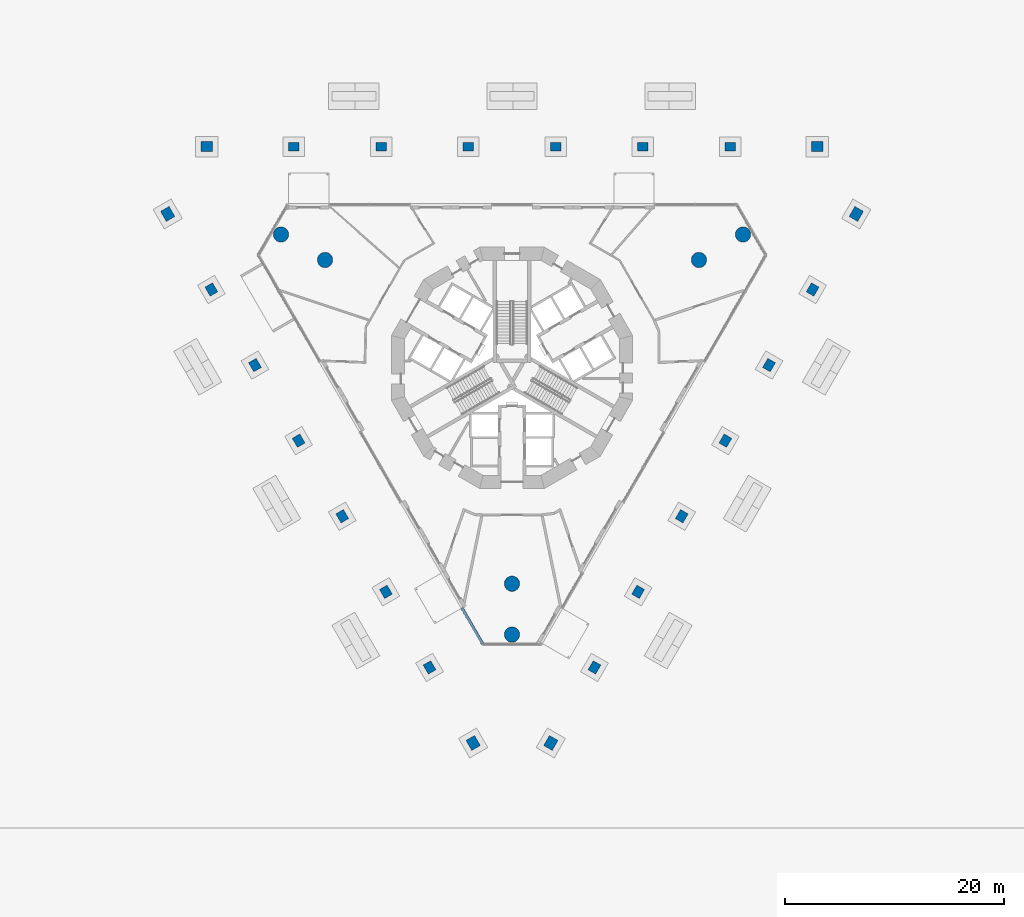
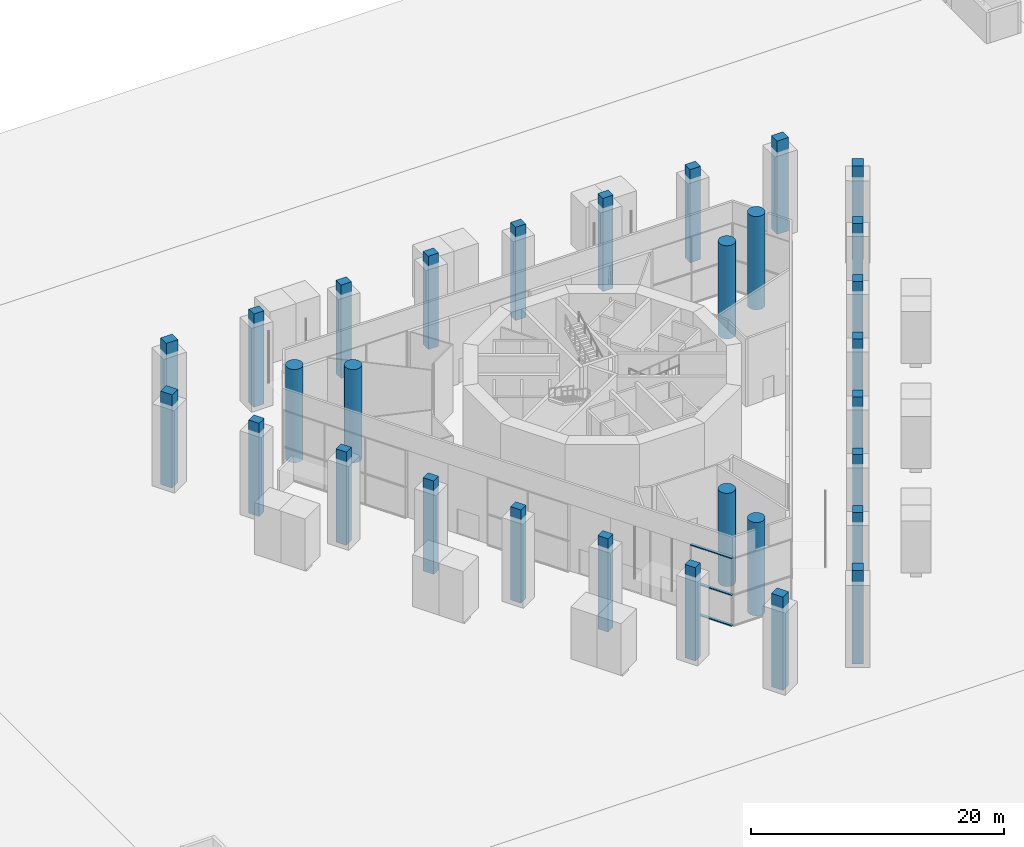
# One storey, part 1 of 26: 30 columns, 3 members, 1 element without a shape of its own.
"""IFC4 building model written with IfcOpenShell, lengths in metres."""

import ifcopenshell
import ifcopenshell.guid

model = None  # the IFC model being written
_history = None  # IfcOwnerHistory: only IFC2X3 demands one
_inside = {}  # id of a spatial element -> (the spatial element, [elements in it])
_under = {}  # id of a project, library or spatial element -> (it, [spatial elements below it])
_declared = {}  # id of a project -> (the project, [libraries it declares])
_typed = {}  # id of a type object -> (the type object, [elements of that type])
_made_of = {}  # id of a material, layer set ... -> (it, [elements and type objects made of it])


def new_model(schema):
    """Start an empty IFC model of exactly this schema.

    Asked for "IFC4X3", IfcOpenShell would pick the latest addendum, in which some entities
    have other attributes; the version numbers below select the first issue.
    IFC2X3 requires an IfcOwnerHistory on every rooted entity: one is made here for all.
    """
    global model, _history
    if schema == "IFC4X3":
        model = ifcopenshell.file(schema_version=(4, 3, 0, 0))
    else:
        model = ifcopenshell.file(schema=schema)
    _inside.clear()
    _under.clear()
    _declared.clear()
    _typed.clear()
    _made_of.clear()
    _history = None
    if model.schema == "IFC2X3":
        org = make("IfcOrganization", Name="unknown")
        user = make(
            "IfcPersonAndOrganization",
            ThePerson=make("IfcPerson", FamilyName="unknown"),
            TheOrganization=org,
        )
        app = make(
            "IfcApplication",
            ApplicationDeveloper=org,
            Version="unknown",
            ApplicationFullName="unknown",
            ApplicationIdentifier="unknown",
        )
        _history = make(
            "IfcOwnerHistory",
            OwningUser=user,
            OwningApplication=app,
            ChangeAction="ADDED",
            CreationDate=0,
        )
    return model


def make(cls, **values):
    """One entity of the class cls with the attributes given. An attribute that is None is left unset."""
    return model.create_entity(
        cls, **{name: value for name, value in values.items() if value is not None}
    )


def rooted(cls, **values):
    """An entity with a GlobalId (a new one), such as an element, a storey or a relation."""
    return make(cls, GlobalId=ifcopenshell.guid.new(), OwnerHistory=_history, **values)


def si_unit(unit_type, name, prefix=None):
    """IfcSIUnit, for example si_unit("LENGTHUNIT", "METRE", prefix="MILLI")."""
    return make("IfcSIUnit", UnitType=unit_type, Prefix=prefix, Name=name)


def assignment(units):
    """IfcUnitAssignment: the units of a project."""
    return None if units is None else make("IfcUnitAssignment", Units=units)


def point(xyz):
    """IfcCartesianPoint."""
    return None if xyz is None else make("IfcCartesianPoint", Coordinates=xyz)


def direction(xyz):
    """IfcDirection."""
    return None if xyz is None else make("IfcDirection", DirectionRatios=xyz)


def frame(location, z_axis=None, x_axis=None):
    """IfcAxis2Placement3D, a coordinate frame: its origin and axes. An axis left out is left unset."""
    return make(
        "IfcAxis2Placement3D",
        Location=point(location),
        Axis=direction(z_axis),
        RefDirection=direction(x_axis),
    )


def frame_2d(location, x_axis=None):
    """IfcAxis2Placement2D, a coordinate frame in the plane: its origin and x axis."""
    return make(
        "IfcAxis2Placement2D", Location=point(location), RefDirection=direction(x_axis)
    )


def origin():
    """The frame at (0, 0, 0) with its axes left unset."""
    return frame((0.0, 0.0, 0.0))


def origin_2d():
    """The frame at (0, 0) in the plane with its x axis left unset."""
    return frame_2d((0.0, 0.0))


def place(relative_to, where):
    """IfcLocalPlacement: puts the frame where relative to a parent placement (None: the world)."""
    return make(
        "IfcLocalPlacement", PlacementRelTo=relative_to, RelativePlacement=where
    )


def context(
    kind, dimensions, precision=None, world=None, true_north=None, identifier=None
):
    """IfcGeometricRepresentationContext, for example the 3D "Model" context."""
    return make(
        "IfcGeometricRepresentationContext",
        ContextIdentifier=identifier,
        ContextType=kind,
        CoordinateSpaceDimension=dimensions,
        Precision=precision,
        WorldCoordinateSystem=world,
        TrueNorth=true_north,
    )


def subcontext(parent, identifier, kind, view, scale=None):
    """IfcGeometricRepresentationSubContext, for example "Body" below "Model"."""
    return make(
        "IfcGeometricRepresentationSubContext",
        ContextIdentifier=identifier,
        ContextType=kind,
        ParentContext=parent,
        TargetScale=scale,
        TargetView=view,
    )


def project(units=None, contexts=None):
    """IfcProject with its units and contexts."""
    return rooted(
        "IfcProject",
        Name="project",
        RepresentationContexts=contexts,
        UnitsInContext=assignment(units),
    )


def spatial(cls, under=None, at=None, **own):
    """A site, building, storey or space (cls), placed at a placement, below another one or the project."""
    s = rooted(cls, ObjectPlacement=at, **own)
    if under is not None:
        _under.setdefault(under.id(), (under, []))[1].append(s)
    return s


def profile(cls, at=None, kind="AREA", **sizes):
    """A parametric profile (cls). Its sizes go by their IFC names, for example OverallWidth=200.0."""
    return make(cls, ProfileType=kind, Position=at, **sizes)


def rectangle(**sizes):
    """IfcRectangleProfileDef."""
    return profile("IfcRectangleProfileDef", **sizes)


def circle(**sizes):
    """IfcCircleProfileDef."""
    return profile("IfcCircleProfileDef", **sizes)


def extrude(swept, where, along, depth):
    """IfcExtrudedAreaSolid: the profile swept, set in the frame where, extruded along a direction by depth."""
    return make(
        "IfcExtrudedAreaSolid",
        SweptArea=swept,
        Position=where,
        ExtrudedDirection=direction(along),
        Depth=depth,
    )


def shape(context_of_items, identifier, shape_type, items):
    """IfcShapeRepresentation: the items that make up one representation, for example the "Body"."""
    return make(
        "IfcShapeRepresentation",
        ContextOfItems=context_of_items,
        RepresentationIdentifier=identifier,
        RepresentationType=shape_type,
        Items=items,
    )


def material(Name=None, Category=None):
    """IfcMaterial."""
    return make("IfcMaterial", Name=Name, Category=Category)


def layer(
    of_material, thickness, ventilated=None, Name=None, Category=None, Priority=None
):
    """IfcMaterialLayer: one layer of a wall or slab, of a material (None: an air gap)."""
    return make(
        "IfcMaterialLayer",
        Material=of_material,
        LayerThickness=thickness,
        IsVentilated=ventilated,
        Name=Name,
        Category=Category,
        Priority=Priority,
    )


def layer_set(layers, Name=None):
    """IfcMaterialLayerSet."""
    return make("IfcMaterialLayerSet", MaterialLayers=layers, LayerSetName=Name)


def material_profile(
    of_material, cross_section, Name=None, Category=None, Priority=None
):
    """IfcMaterialProfile: a cross section and its material."""
    return make(
        "IfcMaterialProfile",
        Name=Name,
        Material=of_material,
        Profile=cross_section,
        Priority=Priority,
        Category=Category,
    )


def profile_set(profiles, Name=None, composite=None):
    """IfcMaterialProfileSet."""
    return make(
        "IfcMaterialProfileSet",
        Name=Name,
        MaterialProfiles=profiles,
        CompositeProfile=composite,
    )


def made_of(thing, what):
    """Note that an element or type object is made of a material, layer set ...; save() writes the relation."""
    if what is not None:
        _made_of.setdefault(what.id(), (what, []))[1].append(thing)
    return thing


def type_object(cls, material=None, **own):
    """A type object (cls), such as IfcWallType, which elements share."""
    return made_of(rooted(cls, **own), material)


def element(
    cls,
    number,
    at=None,
    inside=None,
    cuts=None,
    type_object=None,
    material=None,
    context=None,
    identifier="Body",
    shape_type=None,
    held_by="IfcProductDefinitionShape",
    body=None,
    shapes=None,
    **own,
):
    """One element of the class cls, such as IfcWall. Its Tag is "e" and its number.

    at: its placement. inside: the storey or other place that contains it. cuts: it is an
    opening in that element (IfcRelVoidsElement). A single representation is given by context,
    identifier, shape_type and body (its items); several are given by shapes. held_by: the class
    of the entity that holds the representations. save() writes the other relations.
    """
    e = rooted(cls, Tag="e%d" % number, ObjectPlacement=at, **own)
    if body is not None:
        shapes = [shape(context, identifier, shape_type, body)]
    if shapes is not None:
        e.Representation = make(held_by, Representations=shapes)
    if inside is not None:
        _inside.setdefault(inside.id(), (inside, []))[1].append(e)
    if cuts is not None:
        rooted(
            "IfcRelVoidsElement", RelatingBuildingElement=cuts, RelatedOpeningElement=e
        )
    if type_object is not None:
        _typed.setdefault(type_object.id(), (type_object, []))[1].append(e)
    return made_of(e, material)


def aggregate(whole, parts):
    """IfcRelAggregates: a whole, such as a stair, and the parts it consists of."""
    return rooted("IfcRelAggregates", RelatingObject=whole, RelatedObjects=parts)


def save(model, path):
    """Write the relations noted so far, then the file.

    IfcRelAggregates (storeys below a building ...), IfcRelContainedInSpatialStructure (elements
    in a storey), IfcRelDefinesByType, IfcRelAssociatesMaterial and IfcRelDeclares: one each for
    every whole, place, type object, material and project.
    """
    for whole, parts in _under.values():
        aggregate(whole, parts)
    for where, things in _inside.values():
        rooted(
            "IfcRelContainedInSpatialStructure",
            RelatedElements=things,
            RelatingStructure=where,
        )
    for kind, things in _typed.values():
        rooted("IfcRelDefinesByType", RelatedObjects=things, RelatingType=kind)
    for what, things in _made_of.values():
        rooted("IfcRelAssociatesMaterial", RelatedObjects=things, RelatingMaterial=what)
    for by, libraries in _declared.values():
        rooted("IfcRelDeclares", RelatingContext=by, RelatedDefinitions=libraries)
    model.write(path)


model = new_model("IFC4")

# Units and contexts
model_context = context("Model", 3, precision=1e-05, world=origin(), true_north=direction((0.0, 1.0)))
body_context = subcontext(model_context, "Body", "Model", "MODEL_VIEW")
ifc_project = project(units=[si_unit("LENGTHUNIT", "METRE"), si_unit("AREAUNIT", "SQUARE_METRE"), si_unit("VOLUMEUNIT", "CUBIC_METRE"), si_unit("PLANEANGLEUNIT", "RADIAN"), si_unit("MASSUNIT", "GRAM", prefix="KILO")], contexts=[model_context])

# Site, building, storey
site_placement = place(None, origin())
site = spatial("IfcSite", under=ifc_project, at=site_placement, CompositionType="ELEMENT")
building_placement = place(site_placement, origin())
building = spatial("IfcBuilding", under=site, at=building_placement, Name="Trine Commons Tower", CompositionType="ELEMENT")
storey_placement = place(building_placement, origin())
storey = spatial("IfcBuildingStorey", under=building, at=storey_placement, Name="L00", CompositionType="ELEMENT", Elevation=0.0)

# Columns
ifc_material_1 = material(Name="Concrete C80/95", Category="concrete")
ifc_material_profile_1 = material_profile(ifc_material_1, rectangle(XDim=1.050048828125, YDim=0.89990234375, at=origin_2d()), Name="RC 1050x900")
ifc_profile_set_1 = profile_set([ifc_material_profile_1], Name="Concrete C80/95")
column_type_1 = type_object("IfcColumnType", Name="RC column 1050x900, C80/95", PredefinedType="COLUMN", material=ifc_profile_set_1)
for number, where, z_axis, x_axis, name in (
    (1, (76.45556640625, 28.27001953125, 0.0), (0.0, 0.0, 1.0), (-0.5, 0.866025403784, 0.0), "Column PC1-01 L00"),
    (2, (48.583740234375, 76.54541015625, 0.0), (0.0, 0.0, 1.0), (-0.5, 0.866025403784, 0.0), "Column PC1-08 L00"),
    (3, (52.128173828125, 82.6845703125, 0.0), (0.0, 0.0, 1.0), (1.0, 0.0, 0.0), "Column PC1-09 L00"),
    (4, (107.871826171875, 82.6845703125, 0.0), (0.0, 0.0, 1.0), (1.0, 0.0, 0.0), "Column PC1-16 L00"),
    (5, (111.416259765625, 76.54541015625, 0.0), (0.0, 0.0, 1.0), (0.5, 0.866025403784, 0.0), "Column PC1-17 L00"),
    (6, (83.54443359375, 28.27001953125, 0.0), (0.0, 0.0, 1.0), (0.5, 0.866025403784, 0.0), "Column PC1-24 L00"),
):
    element("IfcColumn", number, at=place(storey_placement, frame(where, z_axis=z_axis, x_axis=x_axis)), inside=storey, type_object=column_type_1, Name=name, PredefinedType="COLUMN", context=body_context, shape_type="SweptSolid", body=[
        extrude(rectangle(XDim=1.050048828125, YDim=0.89990234375, at=origin_2d()), origin(), (0.0, 0.0, 1.0), 9.0),
    ])
ifc_material_profile_2 = material_profile(ifc_material_1, rectangle(XDim=0.949951171875, YDim=0.800048828125, at=origin_2d()), Name="RC 950x800")
ifc_profile_set_2 = profile_set([ifc_material_profile_2], Name="Concrete C80/95")
column_type_2 = type_object("IfcColumnType", Name="RC column 950x800, C80/95", PredefinedType="COLUMN", material=ifc_profile_set_2)
for number, where, z_axis, x_axis, name in (
    (7, (72.473876953125, 35.16650390625, 0.0), (0.0, 0.0, 1.0), (-0.5, 0.866025403784, 0.0), "Column PC1-02 L00"),
    (8, (68.4921875, 42.06298828125, 0.0), (0.0, 0.0, 1.0), (-0.5, 0.866025403784, 0.0), "Column PC1-03 L00"),
    (9, (64.510498046875, 48.95947265625, 0.0), (0.0, 0.0, 1.0), (-0.5, 0.866025403784, 0.0), "Column PC1-04 L00"),
    (10, (60.52880859375, 55.85595703125, 0.0), (0.0, 0.0, 1.0), (-0.5, 0.866025403784, 0.0), "Column PC1-05 L00"),
    (11, (56.547119140625, 62.75244140625, 0.0), (0.0, 0.0, 1.0), (-0.5, 0.866025403784, 0.0), "Column PC1-06 L00"),
    (12, (52.5654296875, 69.64892578125, 0.0), (0.0, 0.0, 1.0), (-0.5, 0.866025403784, 0.0), "Column PC1-07 L00"),
    (13, (60.091552734375, 82.6845703125, 0.0), (0.0, 0.0, 1.0), (1.0, 0.0, 0.0), "Column PC1-10 L00"),
    (14, (68.054931640625, 82.6845703125, 0.0), (0.0, 0.0, 1.0), (1.0, 0.0, 0.0), "Column PC1-11 L00"),
    (15, (76.018310546875, 82.6845703125, 0.0), (0.0, 0.0, 1.0), (1.0, 0.0, 0.0), "Column PC1-12 L00"),
    (16, (83.981689453125, 82.6845703125, 0.0), (0.0, 0.0, 1.0), (1.0, 0.0, 0.0), "Column PC1-13 L00"),
    (17, (91.945068359375, 82.6845703125, 0.0), (0.0, 0.0, 1.0), (1.0, 0.0, 0.0), "Column PC1-14 L00"),
    (18, (99.908447265625, 82.6845703125, 0.0), (0.0, 0.0, 1.0), (1.0, 0.0, 0.0), "Column PC1-15 L00"),
    (19, (107.4345703125, 69.64892578125, 0.0), (0.0, 0.0, 1.0), (0.5, 0.866025403784, 0.0), "Column PC1-18 L00"),
    (20, (103.452880859375, 62.75244140625, 0.0), (0.0, 0.0, 1.0), (0.5, 0.866025403784, 0.0), "Column PC1-19 L00"),
    (21, (99.47119140625, 55.85595703125, 0.0), (0.0, 0.0, 1.0), (0.5, 0.866025403784, 0.0), "Column PC1-20 L00"),
    (22, (95.489501953125, 48.95947265625, 0.0), (0.0, 0.0, 1.0), (0.5, 0.866025403784, 0.0), "Column PC1-21 L00"),
    (23, (91.5078125, 42.06298828125, 0.0), (0.0, 0.0, 1.0), (0.5, 0.866025403784, 0.0), "Column PC1-22 L00"),
    (24, (87.526123046875, 35.16650390625, 0.0), (0.0, 0.0, 1.0), (0.5, 0.866025403784, 0.0), "Column PC1-23 L00"),
):
    element("IfcColumn", number, at=place(storey_placement, frame(where, z_axis=z_axis, x_axis=x_axis)), inside=storey, type_object=column_type_2, Name=name, PredefinedType="COLUMN", context=body_context, shape_type="SweptSolid", body=[
        extrude(rectangle(XDim=0.949951171875, YDim=0.800048828125, at=origin_2d()), origin(), (0.0, 0.0, 1.0), 9.0),
    ])
ifc_material_profile_3 = material_profile(ifc_material_1, circle(Radius=0.699951171875, at=origin_2d()), Name="RC round 1400")
ifc_profile_set_3 = profile_set([ifc_material_profile_3], Name="Concrete C80/95")
column_type_3 = type_object("IfcColumnType", Name="RC round column 1400 mm, C80/95", PredefinedType="COLUMN", material=ifc_profile_set_3)
for number, where, z_axis, x_axis, name in (
    (25, (80.0, 42.802978515625, 0.0), (0.0, 0.0, 1.0), (1.0, 0.0, 0.0), "Column WC1-1 L00"),
    (26, (80.0, 38.162109375, 0.0), (0.0, 0.0, 1.0), (1.0, 0.0, 0.0), "Column WC1-2 L00"),
    (27, (97.05810546875, 72.348388671875, 0.0), (0.0, 0.0, 1.0), (1.0, 0.0, 0.0), "Column WC1-3 L00"),
    (28, (101.0771484375, 74.6689453125, 0.0), (0.0, 0.0, 1.0), (1.0, 0.0, 0.0), "Column WC1-4 L00"),
    (29, (62.94189453125, 72.348388671875, 0.0), (0.0, 0.0, 1.0), (1.0, 0.0, 0.0), "Column WC1-5 L00"),
    (30, (58.9228515625, 74.6689453125, 0.0), (0.0, 0.0, 1.0), (1.0, 0.0, 0.0), "Column WC1-6 L00"),
):
    element("IfcColumn", number, at=place(storey_placement, frame(where, z_axis=z_axis, x_axis=x_axis)), inside=storey, type_object=column_type_3, Name=name, PredefinedType="COLUMN", context=body_context, shape_type="SweptSolid", body=[
        extrude(circle(Radius=0.699951171875, at=origin_2d()), origin(), (0.0, 0.0, 1.0), 9.0),
    ])

# Curtain wall, members
ifc_material_2 = material(Name="Ground pavilion glazing: stainless steel grade 1.4401 (aisi 316) frame with laminated low-iron glass unit", Category="steel")
ifc_layer = layer(ifc_material_2, 0.25)
ifc_layer_set = layer_set([ifc_layer], Name="Ground pavilion glazing: stainless steel grade 1.4401 (aisi 316) frame with laminated low-iron glass unit")
curtain_wall_type = type_object("IfcCurtainWallType", Name="Ground pavilion glazing curtain wall CW4", PredefinedType="NOTDEFINED", material=ifc_layer_set)
curtain_wall_placement = place(storey_placement, origin())
curtain_wall = element("IfcCurtainWall", 31, at=curtain_wall_placement, inside=storey, type_object=curtain_wall_type, Name="Pavilion glazing F3.1", PredefinedType="NOTDEFINED")
ifc_material_3 = material(Name="Stainless steel grade 1.4401 (AISI 316), satin finish", Category="steel")
ifc_material_profile_4 = material_profile(ifc_material_3, rectangle(XDim=0.25, YDim=0.090087890625, at=origin_2d()), Name="Transom 90x250")
ifc_profile_set_4 = profile_set([ifc_material_profile_4], Name="Stainless steel grade 1.4401 (AISI 316), satin finish")
member_type = type_object("IfcMemberType", Name="Transom 90x250, Stainless steel grade 1.4401 (AISI 316), satin finish", PredefinedType="USERDEFINED", material=ifc_profile_set_4)
member_1_placement = place(storey_placement, frame((77.329833984375, 37.305908203125, 0.044921875), z_axis=(-0.500046431558, 0.865998594852, 0.0), x_axis=(-0.865998594852, -0.500046431558, 0.0)))
member_1 = element("IfcMember", 32, at=member_1_placement, type_object=member_type, Name="CW4 transom T00", ObjectType="TRANSOM", PredefinedType="USERDEFINED", context=body_context, shape_type="SweptSolid", body=[
    extrude(rectangle(XDim=0.25, YDim=0.090087890625, at=origin_2d()), origin(), (0.0, 0.0, 1.0), 3.783447265625),
])
member_2_placement = place(storey_placement, frame((77.329833984375, 37.305908203125, 3.0), z_axis=(-0.500046431558, 0.865998594852, 0.0), x_axis=(-0.865998594852, -0.500046431558, 0.0)))
member_2 = element("IfcMember", 33, at=member_2_placement, type_object=member_type, Name="CW4 transom T01", ObjectType="TRANSOM", PredefinedType="USERDEFINED", context=body_context, shape_type="SweptSolid", body=[
    extrude(rectangle(XDim=0.25, YDim=0.090087890625, at=origin_2d()), origin(), (0.0, 0.0, 1.0), 3.783447265625),
])
member_3_placement = place(storey_placement, frame((77.329833984375, 37.305908203125, 6.554931640625), z_axis=(-0.500046431558, 0.865998594852, 0.0), x_axis=(-0.865998594852, -0.500046431558, 0.0)))
member_3 = element("IfcMember", 34, at=member_3_placement, type_object=member_type, Name="CW4 transom TH00", ObjectType="TRANSOM", PredefinedType="USERDEFINED", context=body_context, shape_type="SweptSolid", body=[
    extrude(rectangle(XDim=0.25, YDim=0.090087890625, at=origin_2d()), origin(), (0.0, 0.0, 1.0), 3.783447265625),
])
aggregate(curtain_wall, [member_1, member_2, member_3])

save(model, "model.ifc")
